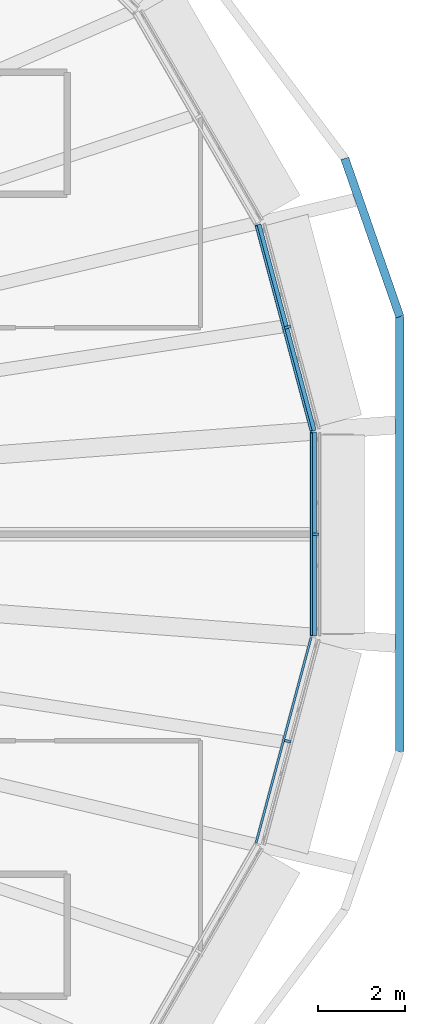
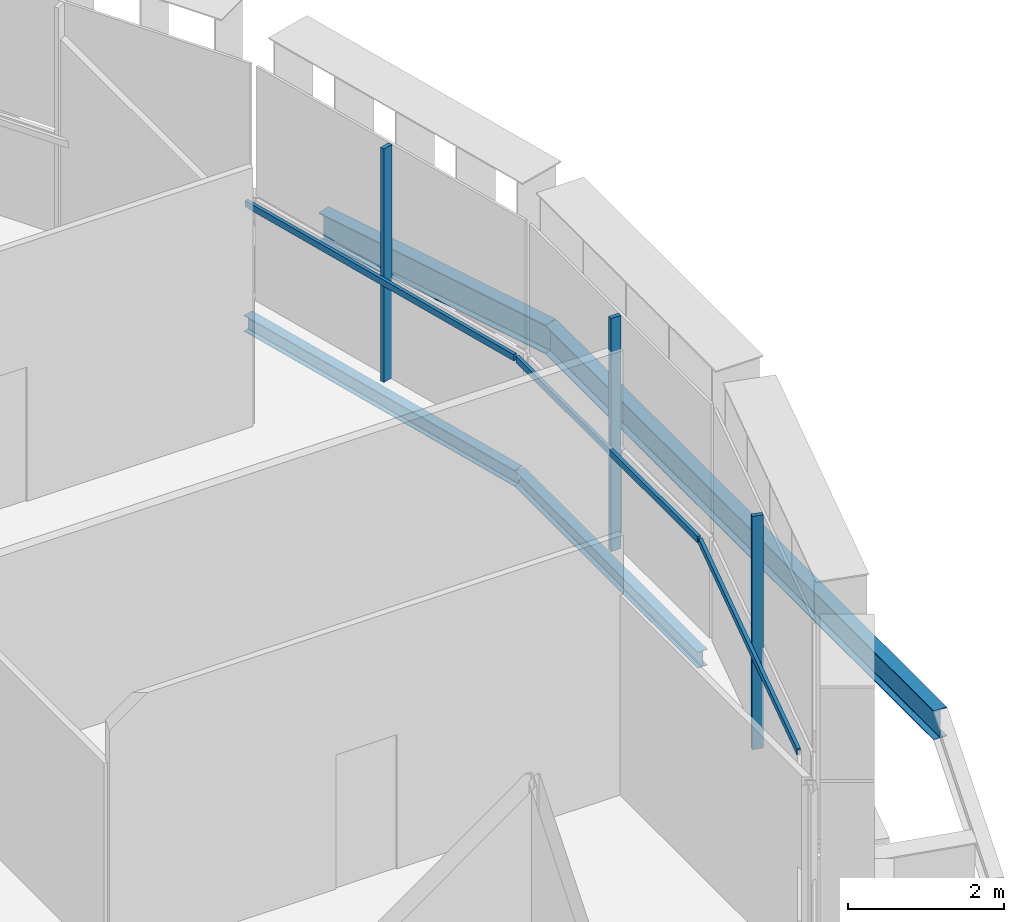
# One storey, part 11 of 25: 6 members, 4 beams, 3 elements without a shape of their own.
"""IFC4 building model written with IfcOpenShell, lengths in metres."""

from ifc_helpers import new_model, si_unit, direction, frame, origin, origin_2d, place, context, subcontext, project, spatial, rectangle, i_section, extrude, material, layer, layer_set, material_profile, profile_set, type_object, element, aggregate, save


model = new_model("IFC4")

# Units and contexts
model_context = context("Model", 3, precision=1e-05, world=origin(), true_north=direction((0.0, 1.0)))
body_context = subcontext(model_context, "Body", "Model", "MODEL_VIEW")
ifc_project = project(units=[si_unit("LENGTHUNIT", "METRE"), si_unit("AREAUNIT", "SQUARE_METRE"), si_unit("VOLUMEUNIT", "CUBIC_METRE"), si_unit("PLANEANGLEUNIT", "RADIAN"), si_unit("MASSUNIT", "GRAM", prefix="KILO")], contexts=[model_context])

# Site, building, storey
site_placement = place(None, origin())
site = spatial("IfcSite", under=ifc_project, at=site_placement, CompositionType="ELEMENT")
building_placement = place(site_placement, origin())
building = spatial("IfcBuilding", under=site, at=building_placement, Name="Sahrelin Media Tower", CompositionType="ELEMENT")
storey_placement = place(building_placement, frame((0.0, 0.0, 127.199951171875)))
storey = spatial("IfcBuildingStorey", under=building, at=storey_placement, Name="L25", CompositionType="ELEMENT", Elevation=127.199951171875)

# Beams
ifc_material_1 = material(Name="Steel S355", Category="steel")
ifc_material_profile_1 = material_profile(ifc_material_1, i_section(OverallWidth=0.14599609375, OverallDepth=0.25146484375, WebThickness=0.006103515625, FlangeThickness=0.008544921875, FilletRadius=0.007568359375, at=origin_2d()), Name="UB 254x146x31")
ifc_profile_set_1 = profile_set([ifc_material_profile_1], Name="Steel S355")
beam_type_1 = type_object("IfcBeamType", Name="Edge beam EB1", PredefinedType="BEAM", material=ifc_profile_set_1)
beam_1_placement = place(storey_placement, frame((31.648193359375, 2.341552734375, -0.275634765625), z_axis=(0.0, -1.0, 0.0), x_axis=(1.0, 0.0, 0.0)))
element("IfcBeam", 1, at=beam_1_placement, inside=storey, type_object=beam_type_1, Name="Edge beam L25-01", PredefinedType="BEAM", context=body_context, shape_type="SweptSolid", body=[
    extrude(i_section(OverallWidth=0.14599609375, OverallDepth=0.25146484375, WebThickness=0.006103515625, FlangeThickness=0.008544921875, FilletRadius=0.007568359375, at=origin_2d()), origin(), (0.0, 0.0, 1.0), 4.68310546875),
])
beam_2_placement = place(storey_placement, frame((30.3759765625, 7.103759765625, -0.275634765625), z_axis=(0.258806639616, -0.965929150244, 0.0), x_axis=(0.965929150244, 0.258806639616, 0.0)))
element("IfcBeam", 2, at=beam_2_placement, inside=storey, type_object=beam_type_1, Name="Edge beam L25-20", PredefinedType="BEAM", context=body_context, shape_type="SweptSolid", body=[
    extrude(i_section(OverallWidth=0.14599609375, OverallDepth=0.25146484375, WebThickness=0.006103515625, FlangeThickness=0.008544921875, FilletRadius=0.007568359375, at=origin_2d()), origin(), (0.0, 0.0, 1.0), 4.900634765625),
])

# Curtain wall, member
ifc_material_2 = material(Name="Champagne anodised aluminium 6063-T6", Category="aluminium")
ifc_layer = layer(ifc_material_2, 0.14990234375)
ifc_layer_set = layer_set([ifc_layer], Name="Tower ribbon curtain wall")
curtain_wall_type = type_object("IfcCurtainWallType", Name="Tower ribbon curtain wall", PredefinedType="NOTDEFINED", material=ifc_layer_set)
curtain_wall_1_placement = place(storey_placement, frame((31.798095703125, 0.0, 0.0), z_axis=(0.0, 0.0, 1.0), x_axis=(1.0, 0.0, 0.0)))
curtain_wall_1 = element("IfcCurtainWall", 3, at=curtain_wall_1_placement, inside=storey, type_object=curtain_wall_type, Name="L25:CW:L25-00", PredefinedType="NOTDEFINED")
ifc_material_profile_2 = material_profile(ifc_material_2, rectangle(XDim=0.06005859375, YDim=0.14990234375, at=origin_2d()), Name="Mullion 60x150")
ifc_profile_set_2 = profile_set([ifc_material_profile_2], Name="Champagne anodised aluminium 6063-T6")
member_type_1 = type_object("IfcMemberType", Name="Mullion 60x150 CW1", PredefinedType="MULLION", material=ifc_profile_set_2)
member_1_placement = place(storey_placement, frame((31.703125, 0.0, 0.0), z_axis=(0.0, 0.0, 1.0), x_axis=(0.0, 1.0, 0.0)))
member_1 = element("IfcMember", 4, at=member_1_placement, type_object=member_type_1, Name="L25:CWM:L25-00", PredefinedType="MULLION", context=body_context, shape_type="SweptSolid", body=[
    extrude(rectangle(XDim=0.06005859375, YDim=0.14990234375, at=origin_2d()), origin(), (0.0, 0.0, 1.0), 3.648681640625),
])

curtain_wall_2_placement = place(storey_placement, frame((31.155029296875, 4.775634765625, 0.0), z_axis=(0.0, 0.0, 1.0), x_axis=(1.0, 0.0, 0.0)))
curtain_wall_2 = element("IfcCurtainWall", 5, at=curtain_wall_2_placement, inside=storey, type_object=curtain_wall_type, Name="L25:CW:L25-01", PredefinedType="NOTDEFINED")
member_2_placement = place(storey_placement, frame((31.063232421875, 4.751220703125, 0.0), z_axis=(0.0, 0.0, 1.0), x_axis=(-0.258832531946, 0.965922212399, 0.0)))
member_2 = element("IfcMember", 6, at=member_2_placement, type_object=member_type_1, Name="L25:CWM:L25-01", PredefinedType="MULLION", context=body_context, shape_type="SweptSolid", body=[
    extrude(rectangle(XDim=0.06005859375, YDim=0.14990234375, at=origin_2d()), origin(), (0.0, 0.0, 1.0), 3.648681640625),
])

curtain_wall_3_placement = place(storey_placement, frame((31.155029296875, -4.77587890625, 0.0), z_axis=(0.0, 0.0, 1.0), x_axis=(1.0, 0.0, 0.0)))
curtain_wall_3 = element("IfcCurtainWall", 7, at=curtain_wall_3_placement, inside=storey, type_object=curtain_wall_type, Name="L25:CW:L25-23", PredefinedType="NOTDEFINED")
member_3_placement = place(storey_placement, frame((31.063232421875, -4.751220703125, 0.0), z_axis=(0.0, 0.0, 1.0), x_axis=(0.258832531946, 0.965922212399, 0.0)))
member_3 = element("IfcMember", 8, at=member_3_placement, type_object=member_type_1, Name="L25:CWM:L25-23", PredefinedType="MULLION", context=body_context, shape_type="SweptSolid", body=[
    extrude(rectangle(XDim=0.06005859375, YDim=0.14990234375, at=origin_2d()), origin(), (0.0, 0.0, 1.0), 3.648681640625),
])

# Beams
ifc_material_profile_3 = material_profile(ifc_material_1, i_section(OverallWidth=0.1904296875, OverallDepth=0.45703125, WebThickness=0.009033203125, FlangeThickness=0.014404296875, FilletRadius=0.01025390625, at=origin_2d()), Name="UB 457x191x74")
ifc_profile_set_3 = profile_set([ifc_material_profile_3], Name="Steel S355")
beam_type_2 = type_object("IfcBeamType", Name="Tie chord TC5", PredefinedType="BEAM", material=ifc_profile_set_3)
beam_3_placement = place(storey_placement, frame((33.634033203125, 4.9921875, -0.37841796875), z_axis=(-0.328725187138, 0.944425619803, 0.0), x_axis=(-0.944425619803, -0.328725187138, 0.0)))
element("IfcBeam", 9, at=beam_3_placement, inside=storey, type_object=beam_type_2, Name="Tie chord L25-01", PredefinedType="BEAM", context=body_context, shape_type="SweptSolid", body=[
    extrude(i_section(OverallWidth=0.1904296875, OverallDepth=0.45703125, WebThickness=0.009033203125, FlangeThickness=0.014404296875, FilletRadius=0.01025390625, at=origin_2d()), origin(), (0.0, 0.0, 1.0), 3.842041015625),
])
beam_4_placement = place(storey_placement, frame((33.634033203125, -4.9921875, -0.37841796875), z_axis=(0.0, 1.0, 0.0), x_axis=(-1.0, 0.0, 0.0)))
element("IfcBeam", 10, at=beam_4_placement, inside=storey, type_object=beam_type_2, Name="Tie chord L25-24", PredefinedType="BEAM", context=body_context, shape_type="SweptSolid", body=[
    extrude(i_section(OverallWidth=0.1904296875, OverallDepth=0.45703125, WebThickness=0.009033203125, FlangeThickness=0.014404296875, FilletRadius=0.01025390625, at=origin_2d()), origin(), (0.0, 0.0, 1.0), 9.984375),
])

# Member
ifc_material_profile_4 = material_profile(ifc_material_2, rectangle(XDim=0.050048828125, YDim=0.10009765625, at=origin_2d()), Name="Transom 50x100")
ifc_profile_set_4 = profile_set([ifc_material_profile_4], Name="Champagne anodised aluminium 6063-T6")
member_type_2 = type_object("IfcMemberType", Name="Transom 50x100 CW1", PredefinedType="USERDEFINED", material=ifc_profile_set_4)
member_4_placement = place(storey_placement, frame((31.603271484375, -2.32568359375, 1.60009765625), z_axis=(0.0, 1.0, 0.0), x_axis=(-1.0, 0.0, 0.0)))
member_4 = element("IfcMember", 11, at=member_4_placement, type_object=member_type_2, Name="L25:CWT:L25-00", ObjectType="TRANSOM", PredefinedType="USERDEFINED", context=body_context, shape_type="SweptSolid", body=[
    extrude(rectangle(XDim=0.050048828125, YDim=0.10009765625, at=origin_2d()), origin(), (0.0, 0.0, 1.0), 4.6513671875),
])

aggregate(curtain_wall_1, [member_1, member_4])

member_5_placement = place(storey_placement, frame((31.596923828125, 2.37353515625, 1.60009765625), z_axis=(-0.258817118121, 0.96592634262, 0.0), x_axis=(-0.96592634262, -0.258817118121, 0.0)))
member_5 = element("IfcMember", 12, at=member_5_placement, type_object=member_type_2, Name="L25:CWT:L25-01", ObjectType="TRANSOM", PredefinedType="USERDEFINED", context=body_context, shape_type="SweptSolid", body=[
    extrude(rectangle(XDim=0.050048828125, YDim=0.10009765625, at=origin_2d()), origin(), (0.0, 0.0, 1.0), 4.869384765625),
])

aggregate(curtain_wall_2, [member_2, member_5])

member_6_placement = place(storey_placement, frame((30.336669921875, -7.076904296875, 1.60009765625), z_axis=(0.258817118121, 0.96592634262, 0.0), x_axis=(-0.96592634262, 0.258817118121, 0.0)))
member_6 = element("IfcMember", 13, at=member_6_placement, type_object=member_type_2, Name="L25:CWT:L25-23", ObjectType="TRANSOM", PredefinedType="USERDEFINED", context=body_context, shape_type="SweptSolid", body=[
    extrude(rectangle(XDim=0.050048828125, YDim=0.10009765625, at=origin_2d()), origin(), (0.0, 0.0, 1.0), 4.869384765625),
])

aggregate(curtain_wall_3, [member_3, member_6])

save(model, "model.ifc")
